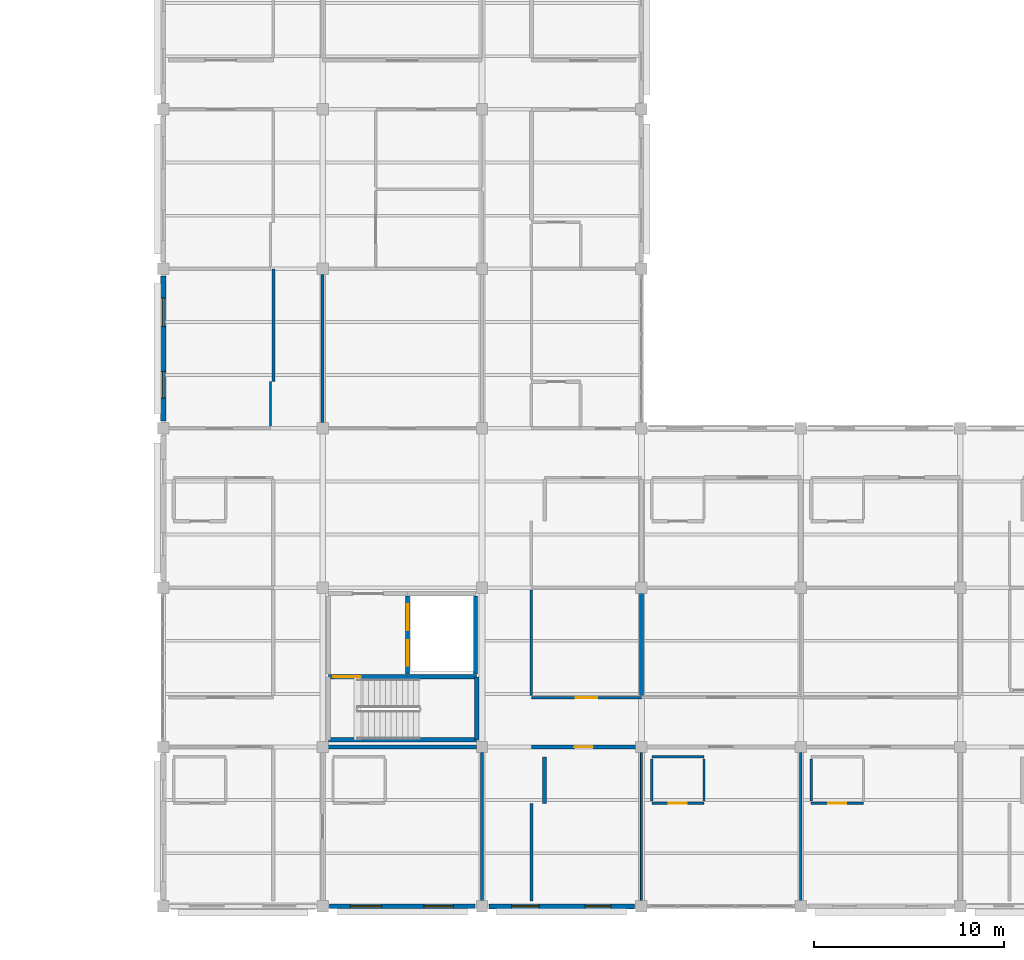
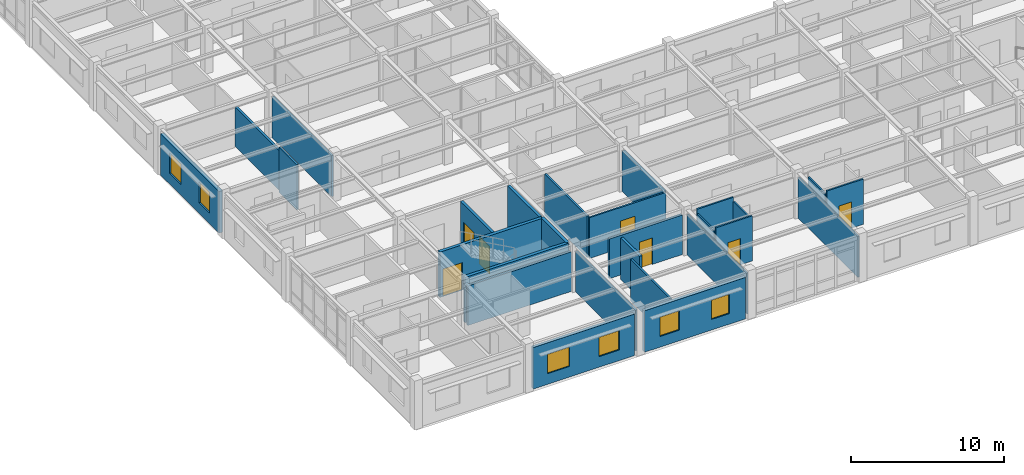
# One storey, part 51 of 86: 27 walls, 7 doors, 6 windows, 13 openings.
"""IFC4 building model written with IfcOpenShell, lengths in metres."""

from ifc_helpers import new_model, si_unit, direction, frame, frame_2d, origin, place, context, subcontext, project, spatial, rectangle, extrude, material, layer, layer_set, type_object, element, fill, save


model = new_model("IFC4")

# Units and contexts
model_context = context("Model", 3, precision=1e-05, world=origin(), true_north=direction((0.0, 1.0)))
body_context = subcontext(model_context, "Body", "Model", "MODEL_VIEW")
ifc_project = project(units=[si_unit("LENGTHUNIT", "METRE"), si_unit("AREAUNIT", "SQUARE_METRE"), si_unit("VOLUMEUNIT", "CUBIC_METRE"), si_unit("PLANEANGLEUNIT", "RADIAN"), si_unit("MASSUNIT", "GRAM", prefix="KILO")], contexts=[model_context])

# Site, building, storey
site_placement = place(None, origin())
site = spatial("IfcSite", under=ifc_project, at=site_placement, CompositionType="ELEMENT")
building_placement = place(site_placement, origin())
building = spatial("IfcBuilding", under=site, at=building_placement, Name="Bramfleet General Hospital", CompositionType="ELEMENT")
storey_placement = place(building_placement, frame((0.0, 0.0, 18.60009765625)))
storey = spatial("IfcBuildingStorey", under=building, at=storey_placement, Name="L04", CompositionType="ELEMENT", Elevation=18.60009765625)

# Wall, openings, windows
ifc_material_1 = material(Name="Precast concrete C40/50", Category="concrete")
ifc_layer_1 = layer(ifc_material_1, 0.280029296875, Name="WT-EW-06")
ifc_layer_set_1 = layer_set([ifc_layer_1], Name="Precast concrete C40/50")
wall_type_1 = type_object("IfcWallType", Name="WT-EW-06", PredefinedType="SOLIDWALL", material=ifc_layer_set_1)
wall_1_placement = place(storey_placement, frame((92.39990234375, 25.574951171875, 0.0), z_axis=(0.0, 0.0, 1.0), x_axis=(0.0, 1.0, 0.0)))
wall_1 = element("IfcWall", 1, at=wall_1_placement, inside=storey, type_object=wall_type_1, Name="L04 Exterior Wall 326", PredefinedType="SOLIDWALL", context=body_context, shape_type="SweptSolid", body=[
    extrude(rectangle(XDim=7.650146484375, YDim=0.280029296875, at=frame_2d((3.8251953125, 0.0))), origin(), (0.0, 0.0, 1.0), 3.309814453125),
])
opening_1_placement = place(wall_1_placement, frame((1.21240234375, 0.0, 0.85009765625)))
opening_1 = element("IfcOpeningElement", 2, at=opening_1_placement, cuts=wall_1, Name="Opening W-34", PredefinedType="OPENING", context=body_context, shape_type="SweptSolid", body=[
    extrude(rectangle(XDim=1.39990234375, YDim=1.659912109375, at=frame_2d((0.699951171875, 0.830078125))), frame((0.0, 0.14990234375, 0.0), z_axis=(0.0, -1.0, 0.0), x_axis=(1.0, 0.0, 0.0)), (0.0, 0.0, 1.0), 0.300048828125),
])
opening_2_placement = place(wall_1_placement, frame((4.987548828125, 0.0, 0.85009765625)))
opening_2 = element("IfcOpeningElement", 3, at=opening_2_placement, cuts=wall_1, Name="Opening W-35", PredefinedType="OPENING", context=body_context, shape_type="SweptSolid", body=[
    extrude(rectangle(XDim=1.5, YDim=1.659912109375, at=frame_2d((0.75, 0.830078125))), frame((0.0, 0.14990234375, 0.0), z_axis=(0.0, -1.0, 0.0), x_axis=(1.0, 0.0, 0.0)), (0.0, 0.0, 1.0), 0.300048828125),
])
ifc_material_2 = material(Name="Anodised aluminium and low-E triple glazing", Category="aluminium")
window_type_1 = type_object("IfcWindowType", Name="WIN-W-34", PartitioningType="SINGLE_PANEL", PredefinedType="WINDOW", material=ifc_material_2)
window_1_placement = place(opening_1_placement, origin())
window_1 = element("IfcWindow", 4, at=window_1_placement, inside=storey, type_object=window_type_1, Name="L04 Facade Window WIN-L04-326-1", OverallHeight=1.659912109375, OverallWidth=1.39990234375, PartitioningType="SINGLE_PANEL", PredefinedType="WINDOW", context=body_context, shape_type="SweptSolid", body=[
    extrude(rectangle(XDim=1.39990234375, YDim=1.659912109375, at=frame_2d((0.699951171875, 0.830078125))), frame((0.0, 0.030029296875, 0.0), z_axis=(0.0, -1.0, 0.0), x_axis=(1.0, 0.0, 0.0)), (0.0, 0.0, 1.0), 0.06005859375),
])
fill(opening_1, window_1)
window_type_2 = type_object("IfcWindowType", Name="WIN-W-35", PartitioningType="SINGLE_PANEL", PredefinedType="WINDOW", material=ifc_material_2)
window_2_placement = place(opening_2_placement, origin())
window_2 = element("IfcWindow", 5, at=window_2_placement, inside=storey, type_object=window_type_2, Name="L04 Facade Window WIN-L04-326-2", OverallHeight=1.659912109375, OverallWidth=1.5, PartitioningType="SINGLE_PANEL", PredefinedType="WINDOW", context=body_context, shape_type="SweptSolid", body=[
    extrude(rectangle(XDim=1.5, YDim=1.659912109375, at=frame_2d((0.75, 0.830078125))), frame((0.0, 0.030029296875, 0.0), z_axis=(0.0, -1.0, 0.0), x_axis=(1.0, 0.0, 0.0)), (0.0, 0.0, 1.0), 0.06005859375),
])
fill(opening_2, window_2)

ifc_layer_2 = layer(ifc_material_1, 0.25, Name="WT-EW-08")
ifc_layer_set_2 = layer_set([ifc_layer_2], Name="Precast concrete C40/50")
wall_type_2 = type_object("IfcWallType", Name="WT-EW-08", PredefinedType="SOLIDWALL", material=ifc_layer_set_2)
wall_2_placement = place(storey_placement, frame((117.22509765625, 0.0, 0.0), z_axis=(0.0, 0.0, 1.0), x_axis=(-1.0, 0.0, 0.0)))
wall_2 = element("IfcWall", 6, at=wall_2_placement, inside=storey, type_object=wall_type_2, Name="L04 Exterior Wall 321", PredefinedType="SOLIDWALL", context=body_context, shape_type="SweptSolid", body=[
    extrude(rectangle(XDim=7.650146484375, YDim=0.25, at=frame_2d((3.8251953125, 0.0))), origin(), (0.0, 0.0, 1.0), 3.309814453125),
])
opening_3_placement = place(wall_2_placement, frame((1.237548828125, 0.0, 0.85009765625)))
opening_3 = element("IfcOpeningElement", 7, at=opening_3_placement, cuts=wall_2, Name="Opening W-24", PredefinedType="OPENING", context=body_context, shape_type="SweptSolid", body=[
    extrude(rectangle(XDim=1.35009765625, YDim=1.5400390625, at=frame_2d((0.675048828125, 0.77001953125))), frame((0.0, 0.135009765625, 0.0), z_axis=(0.0, -1.0, 0.0), x_axis=(1.0, 0.0, 0.0)), (0.0, 0.0, 1.0), 0.27001953125),
])
opening_4_placement = place(wall_2_placement, frame((5.012451171875, 0.0, 0.85009765625)))
opening_4 = element("IfcOpeningElement", 8, at=opening_4_placement, cuts=wall_2, Name="Opening W-25", PredefinedType="OPENING", context=body_context, shape_type="SweptSolid", body=[
    extrude(rectangle(XDim=1.449951171875, YDim=1.5400390625, at=frame_2d((0.72509765625, 0.77001953125))), frame((0.0, 0.135009765625, 0.0), z_axis=(0.0, -1.0, 0.0), x_axis=(1.0, 0.0, 0.0)), (0.0, 0.0, 1.0), 0.27001953125),
])
window_type_3 = type_object("IfcWindowType", Name="WIN-W-24", PartitioningType="SINGLE_PANEL", PredefinedType="WINDOW", material=ifc_material_2)
window_3_placement = place(opening_3_placement, origin())
window_3 = element("IfcWindow", 9, at=window_3_placement, inside=storey, type_object=window_type_3, Name="L04 Facade Window WIN-L04-321-1", OverallHeight=1.5400390625, OverallWidth=1.35009765625, PartitioningType="SINGLE_PANEL", PredefinedType="WINDOW", context=body_context, shape_type="SweptSolid", body=[
    extrude(rectangle(XDim=1.35009765625, YDim=1.5400390625, at=frame_2d((0.675048828125, 0.77001953125))), frame((0.0, 0.030029296875, 0.0), z_axis=(0.0, -1.0, 0.0), x_axis=(1.0, 0.0, 0.0)), (0.0, 0.0, 1.0), 0.06005859375),
])
fill(opening_3, window_3)
window_type_4 = type_object("IfcWindowType", Name="WIN-W-25", PartitioningType="SINGLE_PANEL", PredefinedType="WINDOW", material=ifc_material_2)
window_4_placement = place(opening_4_placement, origin())
window_4 = element("IfcWindow", 10, at=window_4_placement, inside=storey, type_object=window_type_4, Name="L04 Facade Window WIN-L04-321-2", OverallHeight=1.5400390625, OverallWidth=1.449951171875, PartitioningType="SINGLE_PANEL", PredefinedType="WINDOW", context=body_context, shape_type="SweptSolid", body=[
    extrude(rectangle(XDim=1.449951171875, YDim=1.5400390625, at=frame_2d((0.72509765625, 0.77001953125))), frame((0.0, 0.030029296875, 0.0), z_axis=(0.0, -1.0, 0.0), x_axis=(1.0, 0.0, 0.0)), (0.0, 0.0, 1.0), 0.06005859375),
])
fill(opening_4, window_4)

ifc_layer_3 = layer(ifc_material_1, 0.235107421875, Name="WT-EW-09")
ifc_layer_set_3 = layer_set([ifc_layer_3], Name="Precast concrete C40/50")
wall_type_3 = type_object("IfcWallType", Name="WT-EW-09", PredefinedType="SOLIDWALL", material=ifc_layer_set_3)
wall_3_placement = place(storey_placement, frame((108.824951171875, 0.0, 0.0), z_axis=(0.0, 0.0, 1.0), x_axis=(-1.0, 0.0, 0.0)))
wall_3 = element("IfcWall", 11, at=wall_3_placement, inside=storey, type_object=wall_type_3, Name="L04 Exterior Wall 322", PredefinedType="SOLIDWALL", context=body_context, shape_type="SweptSolid", body=[
    extrude(rectangle(XDim=7.64990234375, YDim=0.235107421875, at=frame_2d((3.824951171875, 0.0))), origin(), (0.0, 0.0, 1.0), 3.309814453125),
])
opening_5_placement = place(wall_3_placement, frame((1.137451171875, 0.0, 0.85009765625)))
opening_5 = element("IfcOpeningElement", 12, at=opening_5_placement, cuts=wall_3, Name="Opening W-26", PredefinedType="OPENING", context=body_context, shape_type="SweptSolid", body=[
    extrude(rectangle(XDim=1.550048828125, YDim=1.5400390625, at=frame_2d((0.77490234375, 0.77001953125))), frame((0.0, 0.12744140625, 0.0), z_axis=(0.0, -1.0, 0.0), x_axis=(1.0, 0.0, 0.0)), (0.0, 0.0, 1.0), 0.255126953125),
])
opening_6_placement = place(wall_3_placement, frame((4.91259765625, 0.0, 0.85009765625)))
opening_6 = element("IfcOpeningElement", 13, at=opening_6_placement, cuts=wall_3, Name="Opening W-27", PredefinedType="OPENING", context=body_context, shape_type="SweptSolid", body=[
    extrude(rectangle(XDim=1.64990234375, YDim=1.5400390625, at=frame_2d((0.824951171875, 0.77001953125))), frame((0.0, 0.12744140625, 0.0), z_axis=(0.0, -1.0, 0.0), x_axis=(1.0, 0.0, 0.0)), (0.0, 0.0, 1.0), 0.255126953125),
])
window_type_5 = type_object("IfcWindowType", Name="WIN-W-26", PartitioningType="SINGLE_PANEL", PredefinedType="WINDOW", material=ifc_material_2)
window_5_placement = place(opening_5_placement, origin())
window_5 = element("IfcWindow", 14, at=window_5_placement, inside=storey, type_object=window_type_5, Name="L04 Facade Window WIN-L04-322-1", OverallHeight=1.5400390625, OverallWidth=1.550048828125, PartitioningType="SINGLE_PANEL", PredefinedType="WINDOW", context=body_context, shape_type="SweptSolid", body=[
    extrude(rectangle(XDim=1.550048828125, YDim=1.5400390625, at=frame_2d((0.77490234375, 0.77001953125))), frame((0.0, 0.030029296875, 0.0), z_axis=(0.0, -1.0, 0.0), x_axis=(1.0, 0.0, 0.0)), (0.0, 0.0, 1.0), 0.06005859375),
])
fill(opening_5, window_5)
window_type_6 = type_object("IfcWindowType", Name="WIN-W-27", PartitioningType="SINGLE_PANEL", PredefinedType="WINDOW", material=ifc_material_2)
window_6_placement = place(opening_6_placement, origin())
window_6 = element("IfcWindow", 15, at=window_6_placement, inside=storey, type_object=window_type_6, Name="L04 Facade Window WIN-L04-322-2", OverallHeight=1.5400390625, OverallWidth=1.64990234375, PartitioningType="SINGLE_PANEL", PredefinedType="WINDOW", context=body_context, shape_type="SweptSolid", body=[
    extrude(rectangle(XDim=1.64990234375, YDim=1.5400390625, at=frame_2d((0.824951171875, 0.77001953125))), frame((0.0, 0.030029296875, 0.0), z_axis=(0.0, -1.0, 0.0), x_axis=(1.0, 0.0, 0.0)), (0.0, 0.0, 1.0), 0.06005859375),
])
fill(opening_6, window_6)

# Walls
ifc_material_3 = material(Name="Concrete C35/45", Category="concrete")
ifc_layer_4 = layer(ifc_material_3, 0.219970703125, Name="WT-IW-01")
ifc_layer_set_4 = layer_set([ifc_layer_4], Name="Concrete C35/45")
wall_type_4 = type_object("IfcWallType", Name="WT-IW-01", PredefinedType="PARTITIONING", material=ifc_layer_set_4)
wall_4_placement = place(storey_placement, frame((101.094970703125, 8.39990234375, 0.0), z_axis=(0.0, 0.0, 1.0), x_axis=(1.0, 0.0, 0.0)))
element("IfcWall", 16, at=wall_4_placement, inside=storey, type_object=wall_type_4, Name="L04 Interior Partition IW-L04-3085", PredefinedType="PARTITIONING", context=body_context, shape_type="SweptSolid", body=[
    extrude(rectangle(XDim=7.81005859375, YDim=0.219970703125, at=frame_2d((3.905029296875, 0.0))), origin(), (0.0, 0.0, 1.0), 3.159912109375),
])
wall_5_placement = place(storey_placement, frame((117.60009765625, 11.114990234375, 0.0), z_axis=(0.0, 0.0, 1.0), x_axis=(0.0, 1.0, 0.0)))
element("IfcWall", 17, at=wall_5_placement, inside=storey, type_object=wall_type_4, Name="L04 Interior Partition IW-L04-3409", PredefinedType="PARTITIONING", context=body_context, shape_type="SweptSolid", body=[
    extrude(rectangle(XDim=5.389892578125, YDim=0.219970703125, at=frame_2d((2.69482421875, 0.0))), origin(), (0.0, 0.0, 1.0), 3.260009765625),
])

# Wall, openings, doors
ifc_layer_5 = layer(ifc_material_3, 0.205078125, Name="WT-IW-02")
ifc_layer_set_5 = layer_set([ifc_layer_5], Name="Concrete C35/45")
wall_type_5 = type_object("IfcWallType", Name="WT-IW-02", PredefinedType="PARTITIONING", material=ifc_layer_set_5)
wall_6_placement = place(storey_placement, frame((105.280029296875, 12.239990234375, 0.0), z_axis=(0.0, 0.0, 1.0), x_axis=(0.0, 1.0, 0.0)))
wall_6 = element("IfcWall", 18, at=wall_6_placement, inside=storey, type_object=wall_type_5, Name="L04 C3 Lobby East Shaft Wall", PredefinedType="PARTITIONING", context=body_context, shape_type="SweptSolid", body=[
    extrude(rectangle(XDim=4.1201171875, YDim=0.205078125, at=frame_2d((2.06005859375, 0.0))), origin(), (0.0, 0.0, 1.0), 3.60986328125),
])
opening_7_placement = place(wall_6_placement, frame((0.445068359375, 0.0, 0.0)))
opening_7 = element("IfcOpeningElement", 19, at=opening_7_placement, cuts=wall_6, Name="Opening LD-FL-01-L04", PredefinedType="OPENING", context=body_context, shape_type="SweptSolid", body=[
    extrude(rectangle(XDim=1.35009765625, YDim=2.199951171875, at=frame_2d((0.675048828125, 1.10009765625))), frame((0.0, 0.112548828125, 0.0), z_axis=(0.0, -1.0, 0.0), x_axis=(1.0, 0.0, 0.0)), (0.0, 0.0, 1.0), 0.22509765625),
])
opening_8_placement = place(wall_6_placement, frame((2.324951171875, 0.0, 0.0)))
opening_8 = element("IfcOpeningElement", 20, at=opening_8_placement, cuts=wall_6, Name="Opening LD-BL-03-L04", PredefinedType="OPENING", context=body_context, shape_type="SweptSolid", body=[
    extrude(rectangle(XDim=1.35009765625, YDim=2.199951171875, at=frame_2d((0.675048828125, 1.10009765625))), frame((0.0, 0.112548828125, 0.0), z_axis=(0.0, -1.0, 0.0), x_axis=(1.0, 0.0, 0.0)), (0.0, 0.0, 1.0), 0.22509765625),
])
ifc_material_4 = material(Name="Brushed stainless steel 1.4301", Category="steel")
door_type_1 = type_object("IfcDoorType", Name="DR-LD-01", OperationType="NOTDEFINED", PredefinedType="DOOR", material=ifc_material_4)
door_1_placement = place(opening_7_placement, origin())
door_1 = element("IfcDoor", 21, at=door_1_placement, inside=storey, type_object=door_type_1, Name="L04 Lift FL-01 Sliding Landing Door", OperationType="SLIDING_TO_LEFT", OverallHeight=2.199951171875, OverallWidth=1.35009765625, PredefinedType="DOOR", context=body_context, shape_type="SweptSolid", body=[
    extrude(rectangle(XDim=1.35009765625, YDim=2.199951171875, at=frame_2d((0.675048828125, 1.10009765625))), frame((0.0, 0.02490234375, 0.0), z_axis=(0.0, -1.0, 0.0), x_axis=(1.0, 0.0, 0.0)), (0.0, 0.0, 1.0), 0.050048828125),
])
fill(opening_7, door_1)
door_2_placement = place(opening_8_placement, origin())
door_2 = element("IfcDoor", 22, at=door_2_placement, inside=storey, type_object=door_type_1, Name="L04 Lift BL-03 Sliding Landing Door", OperationType="SLIDING_TO_LEFT", OverallHeight=2.199951171875, OverallWidth=1.35009765625, PredefinedType="DOOR", context=body_context, shape_type="SweptSolid", body=[
    extrude(rectangle(XDim=1.35009765625, YDim=2.199951171875, at=frame_2d((0.675048828125, 1.10009765625))), frame((0.0, 0.02490234375, 0.0), z_axis=(0.0, -1.0, 0.0), x_axis=(1.0, 0.0, 0.0)), (0.0, 0.0, 1.0), 0.050048828125),
])
fill(opening_8, door_2)

# Wall
wall_7_placement = place(storey_placement, frame((108.85009765625, 12.239990234375, 0.0), z_axis=(0.0, 0.0, 1.0), x_axis=(0.0, 1.0, 0.0)))
element("IfcWall", 23, at=wall_7_placement, inside=storey, type_object=wall_type_5, Name="L04 C3 Lift Shaft East Wall", PredefinedType="PARTITIONING", context=body_context, shape_type="SweptSolid", body=[
    extrude(rectangle(XDim=4.1201171875, YDim=0.205078125, at=frame_2d((2.06005859375, 0.0))), origin(), (0.0, 0.0, 1.0), 3.60986328125),
])

# Wall, opening, door
wall_8_placement = place(storey_placement, frame((111.800048828125, 8.39990234375, 0.0), z_axis=(0.0, 0.0, 1.0), x_axis=(1.0, 0.0, 0.0)))
wall_8 = element("IfcWall", 24, at=wall_8_placement, inside=storey, type_object=wall_type_5, Name="L04 Interior Partition IW-L04-3086", PredefinedType="PARTITIONING", context=body_context, shape_type="SweptSolid", body=[
    extrude(rectangle(XDim=5.5048828125, YDim=0.205078125, at=frame_2d((2.75244140625, 0.0))), origin(), (0.0, 0.0, 1.0), 3.159912109375),
])
opening_9_placement = place(wall_8_placement, frame((2.262451171875, 0.0, 0.0)))
opening_9 = element("IfcOpeningElement", 25, at=opening_9_placement, cuts=wall_8, Name="Opening D1274", PredefinedType="OPENING", context=body_context, shape_type="SweptSolid", body=[
    extrude(rectangle(XDim=0.97998046875, YDim=2.1201171875, at=frame_2d((0.489990234375, 1.06005859375))), frame((0.0, 0.112548828125, 0.0), z_axis=(0.0, -1.0, 0.0), x_axis=(1.0, 0.0, 0.0)), (0.0, 0.0, 1.0), 0.22509765625),
])
ifc_material_5 = material(Name="Stainless steel and acoustic timber leaf", Category="steel")
door_type_2 = type_object("IfcDoorType", Name="DR-D-26", OperationType="NOTDEFINED", PredefinedType="DOOR", material=ifc_material_5)
door_3_placement = place(opening_9_placement, origin())
door_3 = element("IfcDoor", 26, at=door_3_placement, inside=storey, type_object=door_type_2, Name="Surgical Inpatient Ward Bedroom L04-1300 Door D1274", OperationType="SINGLE_SWING_LEFT", OverallHeight=2.1201171875, OverallWidth=0.97998046875, PredefinedType="DOOR", context=body_context, shape_type="SweptSolid", body=[
    extrude(rectangle(XDim=0.97998046875, YDim=2.1201171875, at=frame_2d((0.489990234375, 1.06005859375))), frame((0.0, 0.02490234375, 0.0), z_axis=(0.0, -1.0, 0.0), x_axis=(1.0, 0.0, 0.0)), (0.0, 0.0, 1.0), 0.050048828125),
])
fill(opening_9, door_3)

# Walls
wall_9_placement = place(storey_placement, frame((112.5, 5.429931640625, 0.0), z_axis=(0.0, 0.0, 1.0), x_axis=(0.0, 1.0, 0.0)))
element("IfcWall", 27, at=wall_9_placement, inside=storey, type_object=wall_type_5, Name="L04 Interior Partition IW-L04-3398", PredefinedType="PARTITIONING", context=body_context, shape_type="SweptSolid", body=[
    extrude(rectangle(XDim=2.449951171875, YDim=0.205078125, at=frame_2d((1.22509765625, 0.0))), origin(), (0.0, 0.0, 1.0), 3.309814453125),
])
ifc_material_6 = material(Name="Gypsum plasterboard on acoustic steel studs", Category="steel")
ifc_layer_6 = layer(ifc_material_6, 0.159912109375, Name="WT-IW-06")
ifc_layer_set_6 = layer_set([ifc_layer_6], Name="Gypsum plasterboard on acoustic steel studs")
wall_type_6 = type_object("IfcWallType", Name="WT-IW-06", PredefinedType="PARTITIONING", material=ifc_layer_set_6)
wall_10_placement = place(storey_placement, frame((98.199951171875, 27.64990234375, 0.0), z_axis=(0.0, 0.0, 1.0), x_axis=(0.0, 1.0, 0.0)))
element("IfcWall", 28, at=wall_10_placement, inside=storey, type_object=wall_type_6, Name="L04 Interior Partition IW-L04-3342", PredefinedType="PARTITIONING", context=body_context, shape_type="SweptSolid", body=[
    extrude(rectangle(XDim=5.9501953125, YDim=0.159912109375, at=frame_2d((2.97509765625, 0.0))), origin(), (0.0, 0.0, 1.0), 3.159912109375),
])
wall_11_placement = place(storey_placement, frame((100.800048828125, 25.4951171875, 0.0), z_axis=(0.0, 0.0, 1.0), x_axis=(0.0, 1.0, 0.0)))
element("IfcWall", 29, at=wall_11_placement, inside=storey, type_object=wall_type_6, Name="L04 Interior Partition IW-L04-3354", PredefinedType="PARTITIONING", context=body_context, shape_type="SweptSolid", body=[
    extrude(rectangle(XDim=7.809814453125, YDim=0.159912109375, at=frame_2d((3.90478515625, 0.0))), origin(), (0.0, 0.0, 1.0), 3.260009765625),
])
ifc_layer_7 = layer(ifc_material_6, 0.14990234375, Name="WT-IW-07")
ifc_layer_set_7 = layer_set([ifc_layer_7], Name="Gypsum plasterboard on acoustic steel studs")
wall_type_7 = type_object("IfcWallType", Name="WT-IW-07", PredefinedType="PARTITIONING", material=ifc_layer_set_7)
wall_12_placement = place(storey_placement, frame((109.199951171875, 0.294921875, 0.0), z_axis=(0.0, 0.0, 1.0), x_axis=(0.0, 1.0, 0.0)))
element("IfcWall", 30, at=wall_12_placement, inside=storey, type_object=wall_type_7, Name="L04 Interior Partition IW-L04-3367", PredefinedType="PARTITIONING", context=body_context, shape_type="SweptSolid", body=[
    extrude(rectangle(XDim=7.81005859375, YDim=0.14990234375, at=frame_2d((3.905029296875, 0.0))), origin(), (0.0, 0.0, 1.0), 3.260009765625),
])
wall_13_placement = place(storey_placement, frame((111.800048828125, 0.280029296875, 0.0), z_axis=(0.0, 0.0, 1.0), x_axis=(0.0, 1.0, 0.0)))
element("IfcWall", 31, at=wall_13_placement, inside=storey, type_object=wall_type_7, Name="L04 Interior Partition IW-L04-3379", PredefinedType="PARTITIONING", context=body_context, shape_type="SweptSolid", body=[
    extrude(rectangle(XDim=5.14990234375, YDim=0.14990234375, at=frame_2d((2.574951171875, 0.0))), origin(), (0.0, 0.0, 1.0), 3.309814453125),
])
ifc_layer_8 = layer(ifc_material_6, 0.139892578125, Name="WT-IW-08")
ifc_layer_set_8 = layer_set([ifc_layer_8], Name="Gypsum plasterboard on acoustic steel studs")
wall_type_8 = type_object("IfcWallType", Name="WT-IW-08", PredefinedType="PARTITIONING", material=ifc_layer_set_8)
wall_14_placement = place(storey_placement, frame((111.800048828125, 11.114990234375, 0.0), z_axis=(0.0, 0.0, 1.0), x_axis=(0.0, 1.0, 0.0)))
element("IfcWall", 32, at=wall_14_placement, inside=storey, type_object=wall_type_8, Name="L04 Interior Partition IW-L04-3380", PredefinedType="PARTITIONING", context=body_context, shape_type="SweptSolid", body=[
    extrude(rectangle(XDim=5.570068359375, YDim=0.139892578125, at=frame_2d((2.78515625, 0.0))), origin(), (0.0, 0.0, 1.0), 3.309814453125),
])

# Wall, opening, door
ifc_layer_9 = layer(ifc_material_6, 0.1201171875, Name="WT-IW-10")
ifc_layer_set_9 = layer_set([ifc_layer_9], Name="Gypsum plasterboard on acoustic steel studs")
wall_type_9 = type_object("IfcWallType", Name="WT-IW-10", PredefinedType="PARTITIONING", material=ifc_layer_set_9)
wall_15_placement = place(storey_placement, frame((118.14990234375, 5.429931640625, 0.0), z_axis=(0.0, 0.0, 1.0), x_axis=(1.0, 0.0, 0.0)))
wall_15 = element("IfcWall", 33, at=wall_15_placement, inside=storey, type_object=wall_type_9, Name="L04 Interior Partition IW-L04-3072", PredefinedType="PARTITIONING", context=body_context, shape_type="SweptSolid", body=[
    extrude(rectangle(XDim=2.75, YDim=0.1201171875, at=frame_2d((1.375, 0.0))), origin(), (0.0, 0.0, 1.0), 3.60986328125),
])
opening_10_placement = place(wall_15_placement, frame((0.89990234375, 0.0, 0.0)))
opening_10 = element("IfcOpeningElement", 34, at=opening_10_placement, cuts=wall_15, Name="Opening D1295", PredefinedType="OPENING", context=body_context, shape_type="SweptSolid", body=[
    extrude(rectangle(XDim=0.949951171875, YDim=2.10009765625, at=frame_2d((0.47509765625, 1.050048828125))), frame((0.0, 0.070068359375, 0.0), z_axis=(0.0, -1.0, 0.0), x_axis=(1.0, 0.0, 0.0)), (0.0, 0.0, 1.0), 0.14013671875),
])
door_type_3 = type_object("IfcDoorType", Name="DR-D-10", OperationType="NOTDEFINED", PredefinedType="DOOR", material=ifc_material_5)
door_4_placement = place(opening_10_placement, origin())
door_4 = element("IfcDoor", 35, at=door_4_placement, inside=storey, type_object=door_type_3, Name="En-Suite Bathroom L04-1400 Door D1295", OperationType="SINGLE_SWING_LEFT", OverallHeight=2.10009765625, OverallWidth=0.949951171875, PredefinedType="DOOR", context=body_context, shape_type="SweptSolid", body=[
    extrude(rectangle(XDim=0.949951171875, YDim=2.10009765625, at=frame_2d((0.47509765625, 1.050048828125))), frame((0.0, 0.02490234375, 0.0), z_axis=(0.0, -1.0, 0.0), x_axis=(1.0, 0.0, 0.0)), (0.0, 0.0, 1.0), 0.050048828125),
])
fill(opening_10, door_4)

wall_16_placement = place(storey_placement, frame((126.550048828125, 5.429931640625, 0.0), z_axis=(0.0, 0.0, 1.0), x_axis=(1.0, 0.0, 0.0)))
wall_16 = element("IfcWall", 36, at=wall_16_placement, inside=storey, type_object=wall_type_9, Name="L04 Interior Partition IW-L04-3073", PredefinedType="PARTITIONING", context=body_context, shape_type="SweptSolid", body=[
    extrude(rectangle(XDim=2.75, YDim=0.1201171875, at=frame_2d((1.375, 0.0))), origin(), (0.0, 0.0, 1.0), 3.60986328125),
])
opening_11_placement = place(wall_16_placement, frame((0.89990234375, 0.0, 0.0)))
opening_11 = element("IfcOpeningElement", 37, at=opening_11_placement, cuts=wall_16, Name="Opening D1302", PredefinedType="OPENING", context=body_context, shape_type="SweptSolid", body=[
    extrude(rectangle(XDim=0.949951171875, YDim=2.10009765625, at=frame_2d((0.47509765625, 1.050048828125))), frame((0.0, 0.070068359375, 0.0), z_axis=(0.0, -1.0, 0.0), x_axis=(1.0, 0.0, 0.0)), (0.0, 0.0, 1.0), 0.14013671875),
])
door_5_placement = place(opening_11_placement, origin())
door_5 = element("IfcDoor", 38, at=door_5_placement, inside=storey, type_object=door_type_3, Name="En-Suite Bathroom L04-1500 Door D1302", OperationType="SINGLE_SWING_LEFT", OverallHeight=2.10009765625, OverallWidth=0.949951171875, PredefinedType="DOOR", context=body_context, shape_type="SweptSolid", body=[
    extrude(rectangle(XDim=0.949951171875, YDim=2.10009765625, at=frame_2d((0.47509765625, 1.050048828125))), frame((0.0, 0.02490234375, 0.0), z_axis=(0.0, -1.0, 0.0), x_axis=(1.0, 0.0, 0.0)), (0.0, 0.0, 1.0), 0.050048828125),
])
fill(opening_11, door_5)

# Wall
wall_17_placement = place(storey_placement, frame((118.14990234375, 7.8798828125, 0.0), z_axis=(0.0, 0.0, 1.0), x_axis=(1.0, 0.0, 0.0)))
element("IfcWall", 39, at=wall_17_placement, inside=storey, type_object=wall_type_9, Name="L04 Interior Partition IW-L04-3079", PredefinedType="PARTITIONING", context=body_context, shape_type="SweptSolid", body=[
    extrude(rectangle(XDim=2.75, YDim=0.1201171875, at=frame_2d((1.375, 0.0))), origin(), (0.0, 0.0, 1.0), 3.60986328125),
])

# Wall, opening, door
wall_18_placement = place(storey_placement, frame((111.800048828125, 11.0, 0.0), z_axis=(0.0, 0.0, 1.0), x_axis=(1.0, 0.0, 0.0)))
wall_18 = element("IfcWall", 40, at=wall_18_placement, inside=storey, type_object=wall_type_9, Name="L04 Interior Partition IW-L04-3094", PredefinedType="PARTITIONING", context=body_context, shape_type="SweptSolid", body=[
    extrude(rectangle(XDim=5.800048828125, YDim=0.1201171875, at=frame_2d((2.89990234375, 0.0))), origin(), (0.0, 0.0, 1.0), 3.260009765625),
])
opening_12_placement = place(wall_18_placement, frame((2.340087890625, 0.0, 0.0)))
opening_12 = element("IfcOpeningElement", 41, at=opening_12_placement, cuts=wall_18, Name="Opening D1275", PredefinedType="OPENING", context=body_context, shape_type="SweptSolid", body=[
    extrude(rectangle(XDim=1.1201171875, YDim=2.179931640625, at=frame_2d((0.56005859375, 1.08984375))), frame((0.0, 0.070068359375, 0.0), z_axis=(0.0, -1.0, 0.0), x_axis=(1.0, 0.0, 0.0)), (0.0, 0.0, 1.0), 0.14013671875),
])
door_type_4 = type_object("IfcDoorType", Name="DR-D-27", OperationType="NOTDEFINED", PredefinedType="DOOR", material=ifc_material_5)
door_6_placement = place(opening_12_placement, origin())
door_6 = element("IfcDoor", 42, at=door_6_placement, inside=storey, type_object=door_type_4, Name="Patient Dayroom and Garden Lounge L04-1301 Door D1275", OperationType="SINGLE_SWING_RIGHT", OverallHeight=2.179931640625, OverallWidth=1.1201171875, PredefinedType="DOOR", context=body_context, shape_type="SweptSolid", body=[
    extrude(rectangle(XDim=1.1201171875, YDim=2.179931640625, at=frame_2d((0.56005859375, 1.08984375))), frame((0.0, 0.02490234375, 0.0), z_axis=(0.0, -1.0, 0.0), x_axis=(1.0, 0.0, 0.0)), (0.0, 0.0, 1.0), 0.050048828125),
])
fill(opening_12, door_6)

# Walls
wall_19_placement = place(storey_placement, frame((98.050048828125, 25.31494140625, 0.0), z_axis=(0.0, 0.0, 1.0), x_axis=(0.0, 1.0, 0.0)))
element("IfcWall", 43, at=wall_19_placement, inside=storey, type_object=wall_type_9, Name="L04 Interior Partition IW-L04-3334", PredefinedType="PARTITIONING", context=body_context, shape_type="SweptSolid", body=[
    extrude(rectangle(XDim=2.3349609375, YDim=0.1201171875, at=frame_2d((1.16748046875, 0.0))), origin(), (0.0, 0.0, 1.0), 3.60986328125),
])
for number, where, z_axis, x_axis, name in (
    (44, (118.14990234375, 5.544921875, 0.0), (0.0, 0.0, 1.0), (0.0, 1.0, 0.0), "L04 Interior Partition IW-L04-3415"),
    (45, (120.89990234375, 5.544921875, 0.0), (0.0, 0.0, 1.0), (0.0, 1.0, 0.0), "L04 Interior Partition IW-L04-3417"),
    (46, (126.550048828125, 5.544921875, 0.0), (0.0, 0.0, 1.0), (0.0, 1.0, 0.0), "L04 Interior Partition IW-L04-3424"),
):
    element("IfcWall", number, at=place(storey_placement, frame(where, z_axis=z_axis, x_axis=x_axis)), inside=storey, type_object=wall_type_9, Name=name, PredefinedType="PARTITIONING", context=body_context, shape_type="SweptSolid", body=[
        extrude(rectangle(XDim=2.219970703125, YDim=0.1201171875, at=frame_2d((1.10986328125, 0.0))), origin(), (0.0, 0.0, 1.0), 3.309814453125),
    ])
ifc_layer_10 = layer(ifc_material_6, 0.112060546875, Name="WT-IW-11")
ifc_layer_set_10 = layer_set([ifc_layer_10], Name="Gypsum plasterboard on acoustic steel studs")
wall_type_10 = type_object("IfcWallType", Name="WT-IW-11", PredefinedType="PARTITIONING", material=ifc_layer_set_10)
wall_20_placement = place(storey_placement, frame((126.0, 0.294921875, 0.0), z_axis=(0.0, 0.0, 1.0), x_axis=(0.0, 1.0, 0.0)))
element("IfcWall", 47, at=wall_20_placement, inside=storey, type_object=wall_type_10, Name="L04 Interior Partition IW-L04-3419", PredefinedType="PARTITIONING", context=body_context, shape_type="SweptSolid", body=[
    extrude(rectangle(XDim=7.81005859375, YDim=0.112060546875, at=frame_2d((3.905029296875, 0.0))), origin(), (0.0, 0.0, 1.0), 3.260009765625),
])
ifc_layer_11 = layer(ifc_material_6, 0.10009765625, Name="WT-IW-12")
ifc_layer_set_11 = layer_set([ifc_layer_11], Name="Gypsum plasterboard on acoustic steel studs")
wall_type_11 = type_object("IfcWallType", Name="WT-IW-12", PredefinedType="PARTITIONING", material=ifc_layer_set_11)
wall_21_placement = place(storey_placement, frame((117.60009765625, 0.294921875, 0.0), z_axis=(0.0, 0.0, 1.0), x_axis=(0.0, 1.0, 0.0)))
element("IfcWall", 48, at=wall_21_placement, inside=storey, type_object=wall_type_11, Name="L04 Interior Partition IW-L04-3408", PredefinedType="PARTITIONING", context=body_context, shape_type="SweptSolid", body=[
    extrude(rectangle(XDim=7.81005859375, YDim=0.10009765625, at=frame_2d((3.905029296875, 0.0))), origin(), (0.0, 0.0, 1.0), 3.260009765625),
])
ifc_material_7 = material(Name="Concrete C40/50", Category="concrete")
ifc_layer_12 = layer(ifc_material_7, 0.239990234375, Name="WT-SW-240")
ifc_layer_set_12 = layer_set([ifc_layer_12], Name="Concrete C40/50")
wall_type_12 = type_object("IfcWallType", Name="WT-SW-240", PredefinedType="SHEAR", material=ifc_layer_set_12)
wall_22_placement = place(storey_placement, frame((101.10009765625, 8.780029296875, 0.0), z_axis=(0.0, 0.0, 1.0), x_axis=(1.0, 0.0, 0.0)))
element("IfcWall", 49, at=wall_22_placement, inside=storey, type_object=wall_type_12, Name="L04 C3 South Stair Shear Wall", PredefinedType="SHEAR", context=body_context, shape_type="SweptSolid", body=[
    extrude(rectangle(XDim=7.81982421875, YDim=0.239990234375, at=frame_2d((3.909912109375, 0.0))), origin(), (0.0, 0.0, 1.0), 3.619873046875),
])
wall_23_placement = place(storey_placement, frame((108.919921875, 8.780029296875, 0.0), z_axis=(0.0, 0.0, 1.0), x_axis=(0.0, 1.0, 0.0)))
element("IfcWall", 50, at=wall_23_placement, inside=storey, type_object=wall_type_12, Name="L04 C3 East Stair Shear Wall", PredefinedType="SHEAR", context=body_context, shape_type="SweptSolid", body=[
    extrude(rectangle(XDim=3.320068359375, YDim=0.239990234375, at=frame_2d((1.66015625, 0.0))), origin(), (0.0, 0.0, 1.0), 3.619873046875),
])

# Wall, opening, door
wall_24_placement = place(storey_placement, frame((101.10009765625, 12.10009765625, 0.0), z_axis=(0.0, 0.0, 1.0), x_axis=(1.0, 0.0, 0.0)))
wall_24 = element("IfcWall", 51, at=wall_24_placement, inside=storey, type_object=wall_type_12, Name="L04 C3 Stair-Lobby Shear Wall", PredefinedType="SHEAR", context=body_context, shape_type="SweptSolid", body=[
    extrude(rectangle(XDim=7.81982421875, YDim=0.239990234375, at=frame_2d((3.909912109375, 0.0))), origin(), (0.0, 0.0, 1.0), 3.619873046875),
])
opening_13_placement = place(wall_24_placement, frame((0.25, 0.0, 0.0)))
opening_13 = element("IfcOpeningElement", 52, at=opening_13_placement, cuts=wall_24, Name="Opening D0029", PredefinedType="OPENING", context=body_context, shape_type="SweptSolid", body=[
    extrude(rectangle(XDim=1.449951171875, YDim=2.199951171875, at=frame_2d((0.72509765625, 1.10009765625))), frame((0.0, 0.1298828125, 0.0), z_axis=(0.0, -1.0, 0.0), x_axis=(1.0, 0.0, 0.0)), (0.0, 0.0, 1.0), 0.260009765625),
])
door_type_5 = type_object("IfcDoorType", Name="DR-D-03", OperationType="NOTDEFINED", PredefinedType="DOOR", material=ifc_material_5)
door_7_placement = place(opening_13_placement, origin())
door_7 = element("IfcDoor", 53, at=door_7_placement, inside=storey, type_object=door_type_5, Name="L04 C3 Escape Stair Fire Door D0029", OperationType="SINGLE_SWING_RIGHT", OverallHeight=2.199951171875, OverallWidth=1.449951171875, PredefinedType="DOOR", context=body_context, shape_type="SweptSolid", body=[
    extrude(rectangle(XDim=1.449951171875, YDim=2.199951171875, at=frame_2d((0.72509765625, 1.10009765625))), frame((0.0, 0.02490234375, 0.0), z_axis=(0.0, -1.0, 0.0), x_axis=(1.0, 0.0, 0.0)), (0.0, 0.0, 1.0), 0.050048828125),
])
fill(opening_13, door_7)

save(model, "model.ifc")
